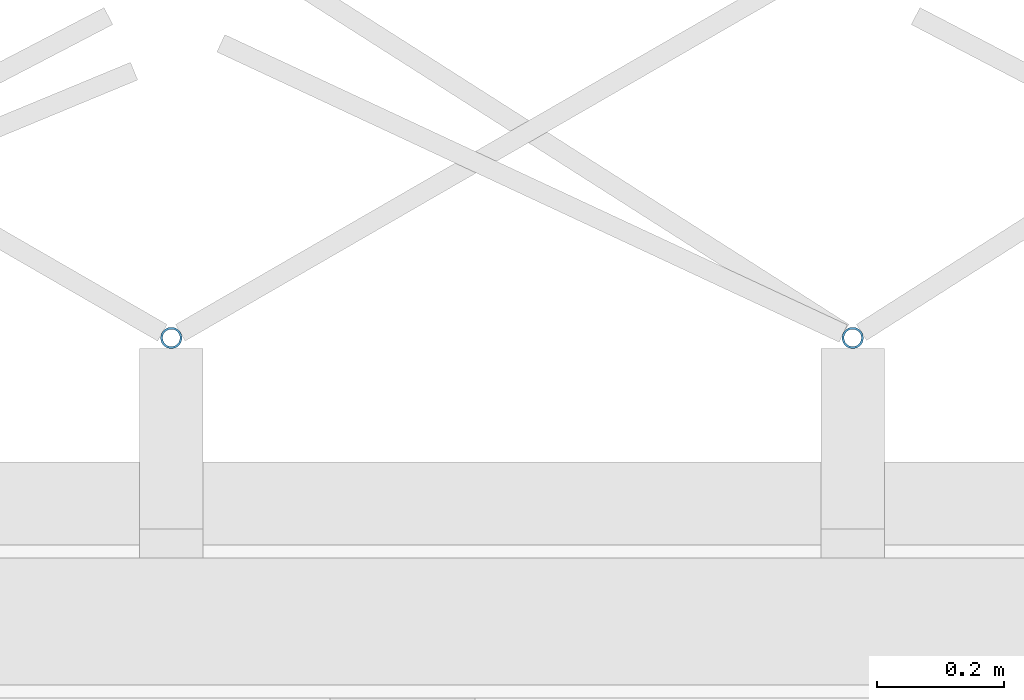
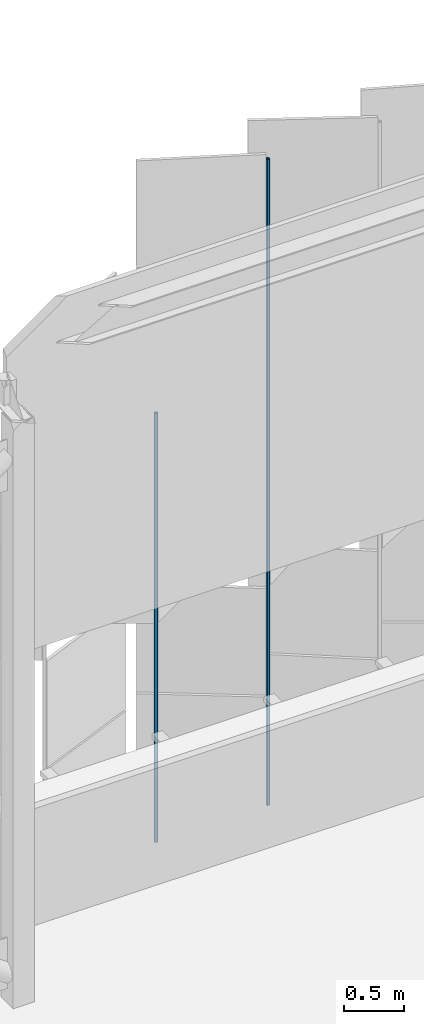
# One storey, part 346 of 483: 2 discrete accessories.
"""IFC4 building model written with IfcOpenShell, lengths in metres."""

import ifcopenshell
import ifcopenshell.guid

model = None  # the IFC model being written
_history = None  # IfcOwnerHistory: only IFC2X3 demands one
_inside = {}  # id of a spatial element -> (the spatial element, [elements in it])
_under = {}  # id of a project, library or spatial element -> (it, [spatial elements below it])
_declared = {}  # id of a project -> (the project, [libraries it declares])
_typed = {}  # id of a type object -> (the type object, [elements of that type])
_made_of = {}  # id of a material, layer set ... -> (it, [elements and type objects made of it])


def new_model(schema):
    """Start an empty IFC model of exactly this schema.

    Asked for "IFC4X3", IfcOpenShell would pick the latest addendum, in which some entities
    have other attributes; the version numbers below select the first issue.
    IFC2X3 requires an IfcOwnerHistory on every rooted entity: one is made here for all.
    """
    global model, _history
    if schema == "IFC4X3":
        model = ifcopenshell.file(schema_version=(4, 3, 0, 0))
    else:
        model = ifcopenshell.file(schema=schema)
    _inside.clear()
    _under.clear()
    _declared.clear()
    _typed.clear()
    _made_of.clear()
    _history = None
    if model.schema == "IFC2X3":
        org = make("IfcOrganization", Name="unknown")
        user = make(
            "IfcPersonAndOrganization",
            ThePerson=make("IfcPerson", FamilyName="unknown"),
            TheOrganization=org,
        )
        app = make(
            "IfcApplication",
            ApplicationDeveloper=org,
            Version="unknown",
            ApplicationFullName="unknown",
            ApplicationIdentifier="unknown",
        )
        _history = make(
            "IfcOwnerHistory",
            OwningUser=user,
            OwningApplication=app,
            ChangeAction="ADDED",
            CreationDate=0,
        )
    return model


def make(cls, **values):
    """One entity of the class cls with the attributes given. An attribute that is None is left unset."""
    return model.create_entity(
        cls, **{name: value for name, value in values.items() if value is not None}
    )


def rooted(cls, **values):
    """An entity with a GlobalId (a new one), such as an element, a storey or a relation."""
    return make(cls, GlobalId=ifcopenshell.guid.new(), OwnerHistory=_history, **values)


def si_unit(unit_type, name, prefix=None):
    """IfcSIUnit, for example si_unit("LENGTHUNIT", "METRE", prefix="MILLI")."""
    return make("IfcSIUnit", UnitType=unit_type, Prefix=prefix, Name=name)


def assignment(units):
    """IfcUnitAssignment: the units of a project."""
    return None if units is None else make("IfcUnitAssignment", Units=units)


def point(xyz):
    """IfcCartesianPoint."""
    return None if xyz is None else make("IfcCartesianPoint", Coordinates=xyz)


def direction(xyz):
    """IfcDirection."""
    return None if xyz is None else make("IfcDirection", DirectionRatios=xyz)


def frame(location, z_axis=None, x_axis=None):
    """IfcAxis2Placement3D, a coordinate frame: its origin and axes. An axis left out is left unset."""
    return make(
        "IfcAxis2Placement3D",
        Location=point(location),
        Axis=direction(z_axis),
        RefDirection=direction(x_axis),
    )


def frame_2d(location, x_axis=None):
    """IfcAxis2Placement2D, a coordinate frame in the plane: its origin and x axis."""
    return make(
        "IfcAxis2Placement2D", Location=point(location), RefDirection=direction(x_axis)
    )


def origin():
    """The frame at (0, 0, 0) with its axes left unset."""
    return frame((0.0, 0.0, 0.0))


def origin_2d():
    """The frame at (0, 0) in the plane with its x axis left unset."""
    return frame_2d((0.0, 0.0))


def place(relative_to, where):
    """IfcLocalPlacement: puts the frame where relative to a parent placement (None: the world)."""
    return make(
        "IfcLocalPlacement", PlacementRelTo=relative_to, RelativePlacement=where
    )


def context(
    kind, dimensions, precision=None, world=None, true_north=None, identifier=None
):
    """IfcGeometricRepresentationContext, for example the 3D "Model" context."""
    return make(
        "IfcGeometricRepresentationContext",
        ContextIdentifier=identifier,
        ContextType=kind,
        CoordinateSpaceDimension=dimensions,
        Precision=precision,
        WorldCoordinateSystem=world,
        TrueNorth=true_north,
    )


def subcontext(parent, identifier, kind, view, scale=None):
    """IfcGeometricRepresentationSubContext, for example "Body" below "Model"."""
    return make(
        "IfcGeometricRepresentationSubContext",
        ContextIdentifier=identifier,
        ContextType=kind,
        ParentContext=parent,
        TargetScale=scale,
        TargetView=view,
    )


def project(units=None, contexts=None):
    """IfcProject with its units and contexts."""
    return rooted(
        "IfcProject",
        Name="project",
        RepresentationContexts=contexts,
        UnitsInContext=assignment(units),
    )


def spatial(cls, under=None, at=None, **own):
    """A site, building, storey or space (cls), placed at a placement, below another one or the project."""
    s = rooted(cls, ObjectPlacement=at, **own)
    if under is not None:
        _under.setdefault(under.id(), (under, []))[1].append(s)
    return s


def profile(cls, at=None, kind="AREA", **sizes):
    """A parametric profile (cls). Its sizes go by their IFC names, for example OverallWidth=200.0."""
    return make(cls, ProfileType=kind, Position=at, **sizes)


def hollow_circle(**sizes):
    """IfcCircleHollowProfileDef."""
    return profile("IfcCircleHollowProfileDef", **sizes)


def extrude(swept, where, along, depth):
    """IfcExtrudedAreaSolid: the profile swept, set in the frame where, extruded along a direction by depth."""
    return make(
        "IfcExtrudedAreaSolid",
        SweptArea=swept,
        Position=where,
        ExtrudedDirection=direction(along),
        Depth=depth,
    )


def shape(context_of_items, identifier, shape_type, items):
    """IfcShapeRepresentation: the items that make up one representation, for example the "Body"."""
    return make(
        "IfcShapeRepresentation",
        ContextOfItems=context_of_items,
        RepresentationIdentifier=identifier,
        RepresentationType=shape_type,
        Items=items,
    )


def material(Name=None, Category=None):
    """IfcMaterial."""
    return make("IfcMaterial", Name=Name, Category=Category)


def material_profile(
    of_material, cross_section, Name=None, Category=None, Priority=None
):
    """IfcMaterialProfile: a cross section and its material."""
    return make(
        "IfcMaterialProfile",
        Name=Name,
        Material=of_material,
        Profile=cross_section,
        Priority=Priority,
        Category=Category,
    )


def profile_set(profiles, Name=None, composite=None):
    """IfcMaterialProfileSet."""
    return make(
        "IfcMaterialProfileSet",
        Name=Name,
        MaterialProfiles=profiles,
        CompositeProfile=composite,
    )


def made_of(thing, what):
    """Note that an element or type object is made of a material, layer set ...; save() writes the relation."""
    if what is not None:
        _made_of.setdefault(what.id(), (what, []))[1].append(thing)
    return thing


def type_object(cls, material=None, **own):
    """A type object (cls), such as IfcWallType, which elements share."""
    return made_of(rooted(cls, **own), material)


def element(
    cls,
    number,
    at=None,
    inside=None,
    cuts=None,
    type_object=None,
    material=None,
    context=None,
    identifier="Body",
    shape_type=None,
    held_by="IfcProductDefinitionShape",
    body=None,
    shapes=None,
    **own,
):
    """One element of the class cls, such as IfcWall. Its Tag is "e" and its number.

    at: its placement. inside: the storey or other place that contains it. cuts: it is an
    opening in that element (IfcRelVoidsElement). A single representation is given by context,
    identifier, shape_type and body (its items); several are given by shapes. held_by: the class
    of the entity that holds the representations. save() writes the other relations.
    """
    e = rooted(cls, Tag="e%d" % number, ObjectPlacement=at, **own)
    if body is not None:
        shapes = [shape(context, identifier, shape_type, body)]
    if shapes is not None:
        e.Representation = make(held_by, Representations=shapes)
    if inside is not None:
        _inside.setdefault(inside.id(), (inside, []))[1].append(e)
    if cuts is not None:
        rooted(
            "IfcRelVoidsElement", RelatingBuildingElement=cuts, RelatedOpeningElement=e
        )
    if type_object is not None:
        _typed.setdefault(type_object.id(), (type_object, []))[1].append(e)
    return made_of(e, material)


def aggregate(whole, parts):
    """IfcRelAggregates: a whole, such as a stair, and the parts it consists of."""
    return rooted("IfcRelAggregates", RelatingObject=whole, RelatedObjects=parts)


def save(model, path):
    """Write the relations noted so far, then the file.

    IfcRelAggregates (storeys below a building ...), IfcRelContainedInSpatialStructure (elements
    in a storey), IfcRelDefinesByType, IfcRelAssociatesMaterial and IfcRelDeclares: one each for
    every whole, place, type object, material and project.
    """
    for whole, parts in _under.values():
        aggregate(whole, parts)
    for where, things in _inside.values():
        rooted(
            "IfcRelContainedInSpatialStructure",
            RelatedElements=things,
            RelatingStructure=where,
        )
    for kind, things in _typed.values():
        rooted("IfcRelDefinesByType", RelatedObjects=things, RelatingType=kind)
    for what, things in _made_of.values():
        rooted("IfcRelAssociatesMaterial", RelatedObjects=things, RelatingMaterial=what)
    for by, libraries in _declared.values():
        rooted("IfcRelDeclares", RelatingContext=by, RelatedDefinitions=libraries)
    model.write(path)


model = new_model("IFC4")

# Units and contexts
model_context = context("Model", 3, precision=1e-05, world=origin(), true_north=direction((0.0, 1.0)))
body_context = subcontext(model_context, "Body", "Model", "MODEL_VIEW")
ifc_project = project(units=[si_unit("LENGTHUNIT", "METRE"), si_unit("AREAUNIT", "SQUARE_METRE"), si_unit("VOLUMEUNIT", "CUBIC_METRE"), si_unit("PLANEANGLEUNIT", "RADIAN"), si_unit("MASSUNIT", "GRAM", prefix="KILO")], contexts=[model_context])

# Site, building, storey
site_placement = place(None, origin())
site = spatial("IfcSite", under=ifc_project, at=site_placement, CompositionType="ELEMENT")
building_placement = place(site_placement, origin())
building = spatial("IfcBuilding", under=site, at=building_placement, Name="Parallax Yard Mobility Hub", CompositionType="ELEMENT")
storey_placement = place(building_placement, frame((0.0, 0.0, 13.199951171875)))
storey = spatial("IfcBuildingStorey", under=building, at=storey_placement, Name="L04", CompositionType="ELEMENT", Elevation=13.199951171875)

# Discrete accessories
ifc_material = material(Name="Steel ASTM A500 Gr C, hot-dip galvanised", Category="steel")
ifc_material_profile = material_profile(ifc_material, hollow_circle(Radius=0.016845703125, WallThickness=0.003173828125, at=origin_2d()), Name="CHS 33.7x3.2")
ifc_profile_set = profile_set([ifc_material_profile], Name="Steel ASTM A500 Gr C, hot-dip galvanised")
discrete_accessory_type = type_object("IfcDiscreteAccessoryType", Name="Hinge post CHS 33.7x3.2", PredefinedType="BRACKET", material=ifc_profile_set)
discrete_accessory_1_placement = place(storey_placement, frame((100.707763671875, 142.800048828125, 0.0), z_axis=(0.0, 0.0, 1.0), x_axis=(1.0, 0.0, 0.0)))
element("IfcDiscreteAccessory", 1, at=discrete_accessory_1_placement, inside=storey, type_object=discrete_accessory_type, Name="Hinge post bay 60.5 level L04", PredefinedType="BRACKET", context=body_context, shape_type="SweptSolid", body=[
    extrude(hollow_circle(Radius=0.016845703125, WallThickness=0.003173828125, at=origin_2d()), origin(), (0.0, 0.0, 1.0), 6.550048828125),
])
discrete_accessory_2_placement = place(storey_placement, frame((99.635986328125, 142.800048828125, 0.0), z_axis=(0.0, 0.0, 1.0), x_axis=(1.0, 0.0, 0.0)))
element("IfcDiscreteAccessory", 2, at=discrete_accessory_2_placement, inside=storey, type_object=discrete_accessory_type, Name="Hinge post bay 60.6 level L04", PredefinedType="BRACKET", context=body_context, shape_type="SweptSolid", body=[
    extrude(hollow_circle(Radius=0.016845703125, WallThickness=0.003173828125, at=origin_2d()), origin(), (0.0, 0.0, 1.0), 4.35009765625),
])

save(model, "model.ifc")
